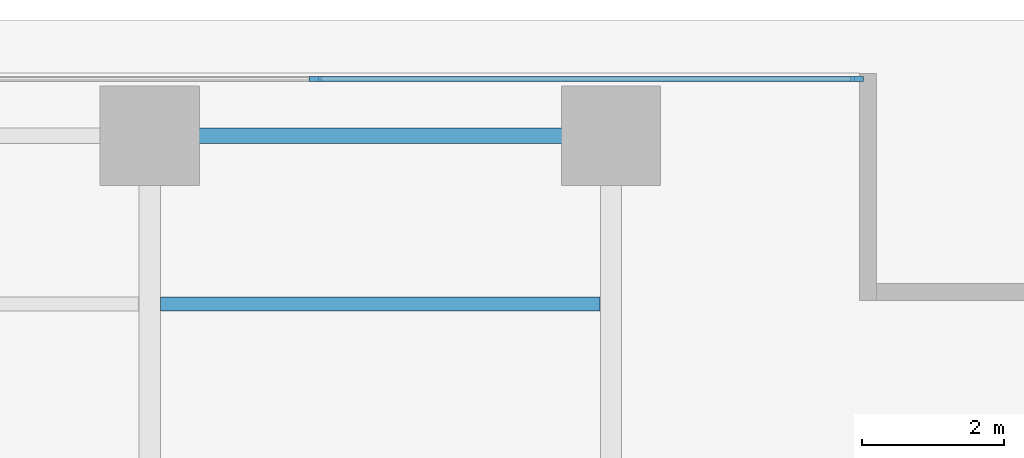
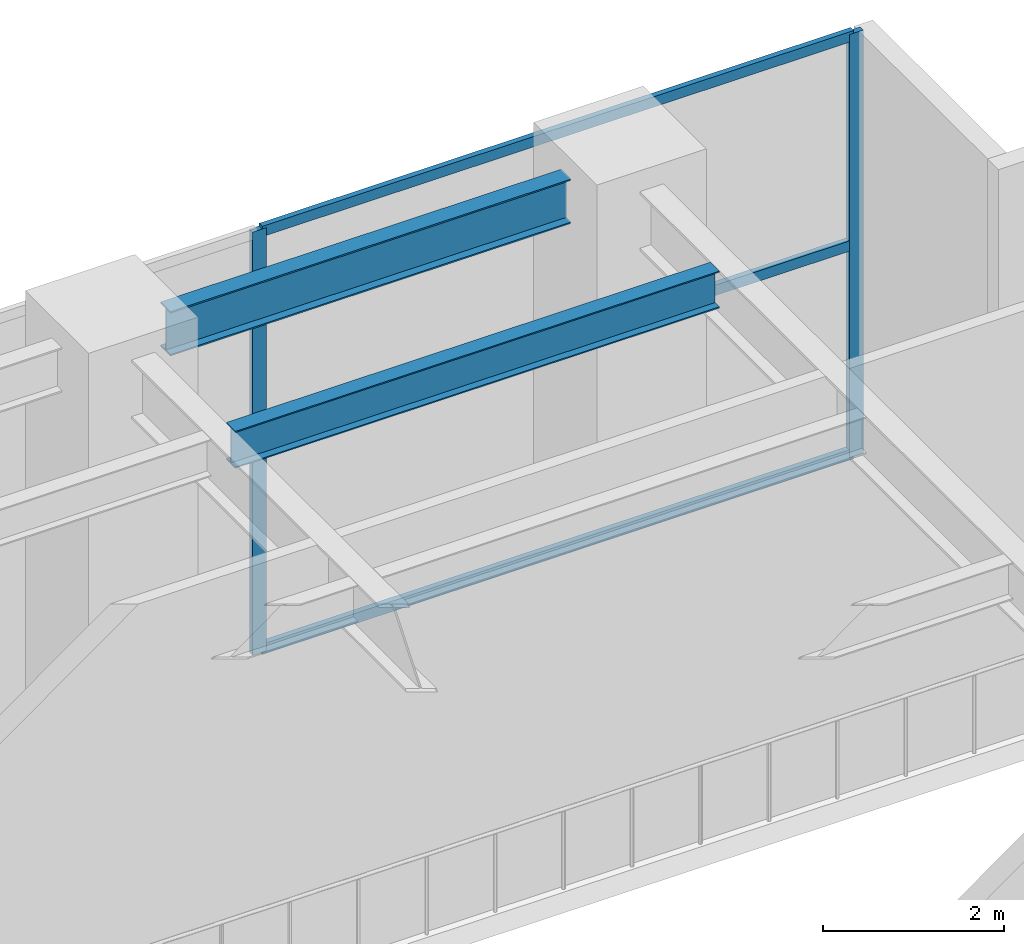
# One storey, part 8 of 20: 5 members, 2 beams, 1 element without a shape of its own.
"""IFC4 building model written with IfcOpenShell, lengths in metres."""

from ifc_helpers import new_model, si_unit, direction, frame, origin, origin_2d, place, context, subcontext, project, spatial, rectangle, i_section, extrude, material, layer, layer_set, material_profile, profile_set, type_object, element, aggregate, save


model = new_model("IFC4")

# Units and contexts
model_context = context("Model", 3, precision=1e-05, world=origin(), true_north=direction((0.0, 1.0)))
body_context = subcontext(model_context, "Body", "Model", "MODEL_VIEW")
ifc_project = project(units=[si_unit("LENGTHUNIT", "METRE"), si_unit("AREAUNIT", "SQUARE_METRE"), si_unit("VOLUMEUNIT", "CUBIC_METRE"), si_unit("PLANEANGLEUNIT", "RADIAN"), si_unit("MASSUNIT", "GRAM", prefix="KILO")], contexts=[model_context])

# Site, building, storey
site_placement = place(None, origin())
site = spatial("IfcSite", under=ifc_project, at=site_placement, CompositionType="ELEMENT")
building_placement = place(site_placement, origin())
building = spatial("IfcBuilding", under=site, at=building_placement, Name="Putna Gate Headquarters", CompositionType="ELEMENT")
storey_placement = place(building_placement, origin())
storey = spatial("IfcBuildingStorey", under=building, at=storey_placement, Name="L00", CompositionType="ELEMENT", Elevation=0.0)

# Beams
ifc_material_1 = material(Name="Steel S355J2", Category="steel")
ifc_material_profile_1 = material_profile(ifc_material_1, i_section(OverallWidth=0.199951171875, OverallDepth=0.5, WebThickness=0.01025390625, FlangeThickness=0.01611328125, at=origin_2d()), Name="Steel S355J2")
ifc_profile_set_1 = profile_set([ifc_material_profile_1], Name="Steel S355J2")
beam_type_1 = type_object("IfcBeamType", Name="BM-SEC-P-IPE500", PredefinedType="BEAM", material=ifc_profile_set_1)
beam_1_placement = place(storey_placement, frame((65.154052734375, 48.75, 5.469970703125), z_axis=(1.0, 0.0, 0.0), x_axis=(0.0, 1.0, 0.0)))
element("IfcBeam", 1, at=beam_1_placement, inside=storey, type_object=beam_type_1, Name="L00 North Secondary Beam 7", PredefinedType="BEAM", context=body_context, shape_type="SweptSolid", body=[
    extrude(i_section(OverallWidth=0.199951171875, OverallDepth=0.5, WebThickness=0.01025390625, FlangeThickness=0.01611328125, at=origin_2d()), origin(), (0.0, 0.0, 1.0), 6.19189453125),
])
ifc_material_profile_2 = material_profile(ifc_material_1, i_section(OverallWidth=0.219970703125, OverallDepth=0.60009765625, WebThickness=0.011962890625, FlangeThickness=0.01904296875, at=origin_2d()), Name="Steel S355J2")
ifc_profile_set_2 = profile_set([ifc_material_profile_2], Name="Steel S355J2")
beam_type_2 = type_object("IfcBeamType", Name="BM-SPAN-P-IPE600", PredefinedType="SPANDREL", material=ifc_profile_set_2)
beam_2_placement = place(storey_placement, frame((65.68798828125, 51.1201171875, 5.419921875), z_axis=(1.0, 0.0, 0.0), x_axis=(0.0, 1.0, 0.0)))
element("IfcBeam", 2, at=beam_2_placement, inside=storey, type_object=beam_type_2, Name="L00 N Perimeter Spandrel 7", PredefinedType="SPANDREL", context=body_context, shape_type="SweptSolid", body=[
    extrude(i_section(OverallWidth=0.219970703125, OverallDepth=0.60009765625, WebThickness=0.011962890625, FlangeThickness=0.01904296875, at=origin_2d()), origin(), (0.0, 0.0, 1.0), 5.1240234375),
])

# Curtain wall, members
ifc_material_2 = material(Name="Anodised bronze aluminium curtain wall", Category="aluminium")
ifc_layer = layer(ifc_material_2, 0.179931640625)
ifc_layer_set = layer_set([ifc_layer], Name="Anodised bronze aluminium curtain wall")
curtain_wall_type = type_object("IfcCurtainWallType", Name="CW-SYS-POD", PredefinedType="USERDEFINED", material=ifc_layer_set)
curtain_wall_placement = place(storey_placement, origin())
curtain_wall = element("IfcCurtainWall", 3, at=curtain_wall_placement, inside=storey, type_object=curtain_wall_type, Name="L00 North East Curtain Wall", ObjectType="STICK CURTAIN WALL", PredefinedType="USERDEFINED")
ifc_material_3 = material(Name="Anodised bronze aluminium EN AW-6060", Category="aluminium")
ifc_material_profile_3 = material_profile(ifc_material_3, rectangle(XDim=0.070068359375, YDim=0.179931640625, at=origin_2d()), Name="Anodised bronze aluminium EN AW-6060")
ifc_profile_set_3 = profile_set([ifc_material_profile_3], Name="Anodised bronze aluminium EN AW-6060")
member_type_1 = type_object("IfcMemberType", Name="MULL-CWM-P", PredefinedType="MULLION", material=ifc_profile_set_3)
member_1_placement = place(storey_placement, frame((67.333251953125, 51.919921875, 0.0), z_axis=(0.0, 0.0, 1.0), x_axis=(0.0, 1.0, 0.0)))
member_1 = element("IfcMember", 4, at=member_1_placement, type_object=member_type_1, Name="CWS-P mullion 3", PredefinedType="MULLION", context=body_context, shape_type="SweptSolid", body=[
    extrude(rectangle(XDim=0.070068359375, YDim=0.179931640625, at=origin_2d()), origin(), (0.0, 0.0, 1.0), 5.719970703125),
])
member_2_placement = place(storey_placement, frame((74.965087890625, 51.919921875, 0.0), z_axis=(0.0, 0.0, 1.0), x_axis=(0.0, 1.0, 0.0)))
member_2 = element("IfcMember", 5, at=member_2_placement, type_object=member_type_1, Name="CWS-P mullion 4", PredefinedType="MULLION", context=body_context, shape_type="SweptSolid", body=[
    extrude(rectangle(XDim=0.070068359375, YDim=0.179931640625, at=origin_2d()), origin(), (0.0, 0.0, 1.0), 5.719970703125),
])
ifc_material_profile_4 = material_profile(ifc_material_3, rectangle(XDim=0.070068359375, YDim=0.139892578125, at=origin_2d()), Name="Anodised bronze aluminium EN AW-6060")
ifc_profile_set_4 = profile_set([ifc_material_profile_4], Name="Anodised bronze aluminium EN AW-6060")
member_type_2 = type_object("IfcMemberType", Name="TRAN-CWT-P", PredefinedType="USERDEFINED", material=ifc_profile_set_4)
member_3_placement = place(storey_placement, frame((67.368408203125, 51.919921875, 0.034912109375), z_axis=(1.0, 0.0, 0.0), x_axis=(0.0, 1.0, 0.0)))
member_3 = element("IfcMember", 6, at=member_3_placement, type_object=member_type_2, Name="CWS-P transom 3.1", ObjectType="TRANSOM", PredefinedType="USERDEFINED", context=body_context, shape_type="SweptSolid", body=[
    extrude(rectangle(XDim=0.070068359375, YDim=0.139892578125, at=origin_2d()), origin(), (0.0, 0.0, 1.0), 7.5615234375),
])
member_4_placement = place(storey_placement, frame((67.368408203125, 51.919921875, 2.860107421875), z_axis=(1.0, 0.0, 0.0), x_axis=(0.0, 1.0, 0.0)))
member_4 = element("IfcMember", 7, at=member_4_placement, type_object=member_type_2, Name="CWS-P transom 3.2", ObjectType="TRANSOM", PredefinedType="USERDEFINED", context=body_context, shape_type="SweptSolid", body=[
    extrude(rectangle(XDim=0.070068359375, YDim=0.139892578125, at=origin_2d()), origin(), (0.0, 0.0, 1.0), 7.5615234375),
])
member_5_placement = place(storey_placement, frame((67.368408203125, 51.919921875, 5.68505859375), z_axis=(1.0, 0.0, 0.0), x_axis=(0.0, 1.0, 0.0)))
member_5 = element("IfcMember", 8, at=member_5_placement, type_object=member_type_2, Name="CWS-P transom 3.3", ObjectType="TRANSOM", PredefinedType="USERDEFINED", context=body_context, shape_type="SweptSolid", body=[
    extrude(rectangle(XDim=0.070068359375, YDim=0.139892578125, at=origin_2d()), origin(), (0.0, 0.0, 1.0), 7.5615234375),
])
aggregate(curtain_wall, [member_1, member_2, member_3, member_4, member_5])

save(model, "model.ifc")
